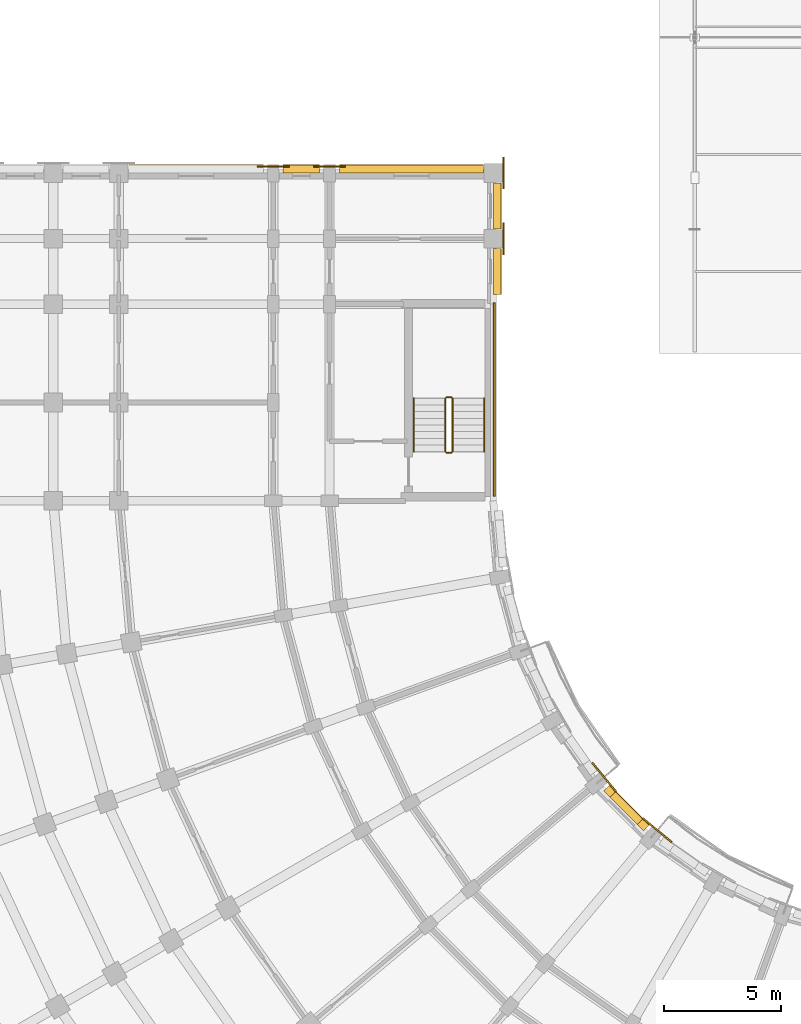
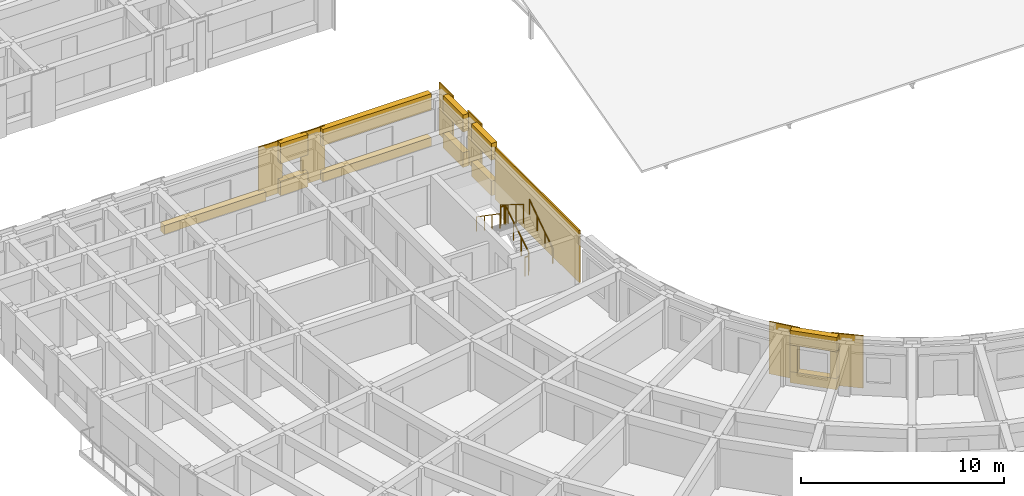
# One storey, part 63 of 76: 20 coverings, 6 railings.
"""IFC4 building model written with IfcOpenShell, lengths in metres."""

from ifc_helpers import new_model, si_unit, direction, frame, origin, origin_2d, place, context, subcontext, project, spatial, polyline, circle, outline, extrude, material, layer, layer_set, type_object, element, save


model = new_model("IFC4")

# Units and contexts
model_context = context("Model", 3, precision=1e-05, world=origin(), true_north=direction((0.0, 1.0)))
body_context = subcontext(model_context, "Body", "Model", "MODEL_VIEW")
ifc_project = project(units=[si_unit("LENGTHUNIT", "METRE"), si_unit("AREAUNIT", "SQUARE_METRE"), si_unit("VOLUMEUNIT", "CUBIC_METRE"), si_unit("PLANEANGLEUNIT", "RADIAN"), si_unit("MASSUNIT", "GRAM", prefix="KILO")], contexts=[model_context])

# Site, building, storey
site_placement = place(None, origin())
site = spatial("IfcSite", under=ifc_project, at=site_placement, CompositionType="ELEMENT")
building_placement = place(site_placement, origin())
building = spatial("IfcBuilding", under=site, at=building_placement, Name="Kiranvali Square Residences", CompositionType="ELEMENT")
storey_placement = place(building_placement, frame((0.0, 0.0, 8.699951171875)))
storey = spatial("IfcBuildingStorey", under=building, at=storey_placement, Name="L02", CompositionType="ELEMENT", Elevation=8.699951171875)

# Coverings
ifc_material_1 = material(Name="Honed Porbandar limestone ashlar facade cladding", Category="masonry")
ifc_layer_1 = layer(ifc_material_1, 0.3798828125)
ifc_layer_set_1 = layer_set([ifc_layer_1], Name="Honed Porbandar limestone ashlar facade cladding")
covering_type_1 = type_object("IfcCoveringType", Name="COV-CLAD-JAMB", PredefinedType="CLADDING", material=ifc_layer_set_1)
covering_1_placement = place(storey_placement, frame((0.0, 0.0, 0.672119140625)))
element("IfcCovering", 1, at=covering_1_placement, inside=storey, type_object=covering_type_1, Name="L02 deep limestone window jamb reveal C-L02-GDN-04.L", PredefinedType="CLADDING", context=body_context, shape_type="SweptSolid", body=[
    extrude(outline(polyline([(36.044921875, 34.349853515625), (35.78076171875, 34.614013671875), (35.540771484375, 34.3740234375), (35.804931640625, 34.10986328125), (36.044921875, 34.349853515625)])), origin(), (0.0, 0.0, 1.0), 1.599853515625),
])
covering_2_placement = place(storey_placement, frame((0.0, 0.0, 0.672119140625)))
element("IfcCovering", 2, at=covering_2_placement, inside=storey, type_object=covering_type_1, Name="L02 deep limestone window jamb reveal C-L02-GDN-04.R", PredefinedType="CLADDING", context=body_context, shape_type="SweptSolid", body=[
    extrude(outline(polyline([(34.614013671875, 35.78076171875), (34.349853515625, 36.044921875), (34.10986328125, 35.804931640625), (34.3740234375, 35.540771484375), (34.614013671875, 35.78076171875)])), origin(), (0.0, 0.0, 1.0), 1.599853515625),
])
ifc_layer_2 = layer(ifc_material_1, 0.06494140625)
ifc_layer_set_2 = layer_set([ifc_layer_2], Name="Honed Porbandar limestone ashlar facade cladding")
covering_type_2 = type_object("IfcCoveringType", Name="COV-CLAD-PIER", PredefinedType="CLADDING", material=ifc_layer_set_2)
covering_3_placement = place(storey_placement, frame((0.0, 0.0, 0.005126953125)))
element("IfcCovering", 3, at=covering_3_placement, inside=storey, type_object=covering_type_2, Name="Block C L02 Arm 2 stair limestone ashlar cladding", PredefinedType="CLADDING", context=body_context, shape_type="SweptSolid", body=[
    extrude(outline(polyline([(29.47998046875, 48.39990234375), (29.47998046875, 56.64990234375), (29.402099609375, 56.64990234375), (29.402099609375, 48.39990234375), (29.47998046875, 48.39990234375)])), origin(), (0.0, 0.0, 1.0), 3.139892578125),
])
ifc_layer_3 = layer(ifc_material_1, 0.050048828125)
ifc_layer_set_3 = layer_set([ifc_layer_3], Name="Honed Porbandar limestone ashlar facade cladding")
covering_type_3 = type_object("IfcCoveringType", Name="COV-CLAD-PIER-IN", PredefinedType="CLADDING", material=ifc_layer_set_3)
covering_4_placement = place(storey_placement, frame((0.0, 0.0, 0.005126953125)))
element("IfcCovering", 4, at=covering_4_placement, inside=storey, type_object=covering_type_3, Name="L02 Classical garden courtyard pilaster CLAD-PRIN-C-L02-A04", PredefinedType="CLADDING", context=body_context, shape_type="SweptSolid", body=[
    extrude(outline(polyline([(37.029296875, 33.642578125), (35.803466796875, 34.671142578125), (35.76025390625, 34.619384765625), (36.98583984375, 33.5908203125), (37.029296875, 33.642578125)])), origin(), (0.0, 0.0, 1.0), 3.139892578125),
])
covering_5_placement = place(storey_placement, frame((0.0, 0.0, 0.005126953125)))
element("IfcCovering", 5, at=covering_5_placement, inside=storey, type_object=covering_type_3, Name="L02 Classical garden courtyard pilaster CLAD-PRIN-C-L02-A05", PredefinedType="CLADDING", context=body_context, shape_type="SweptSolid", body=[
    extrude(outline(polyline([(34.671142578125, 35.803466796875), (33.642578125, 37.029296875), (33.5908203125, 36.98583984375), (34.619384765625, 35.76025390625), (34.671142578125, 35.803466796875)])), origin(), (0.0, 0.0, 1.0), 3.139892578125),
])
covering_6_placement = place(storey_placement, frame((0.0, 0.0, 0.005126953125)))
element("IfcCovering", 6, at=covering_6_placement, inside=storey, type_object=covering_type_3, Name="L02 Classical limestone pilaster casing CLAD-PRA2I-C-L02-V112", PredefinedType="CLADDING", context=body_context, shape_type="SweptSolid", body=[
    extrude(outline(polyline([(29.867919921875, 58.719970703125), (29.867919921875, 60.080078125), (29.800537109375, 60.080078125), (29.800537109375, 58.719970703125), (29.867919921875, 58.719970703125)])), origin(), (0.0, 0.0, 1.0), 3.139892578125),
])
covering_7_placement = place(storey_placement, frame((0.0, 0.0, 0.005126953125)))
element("IfcCovering", 7, at=covering_7_placement, inside=storey, type_object=covering_type_3, Name="L02 Classical limestone pilaster casing CLAD-PRA2I-C-L02-V140", PredefinedType="CLADDING", context=body_context, shape_type="SweptSolid", body=[
    extrude(outline(polyline([(29.867919921875, 61.52001953125), (29.867919921875, 62.8798828125), (29.800537109375, 62.8798828125), (29.800537109375, 61.52001953125), (29.867919921875, 61.52001953125)])), origin(), (0.0, 0.0, 1.0), 3.139892578125),
])
ifc_layer_4 = layer(ifc_material_1, 0.054931640625)
ifc_layer_set_4 = layer_set([ifc_layer_4], Name="Honed Porbandar limestone ashlar facade cladding")
covering_type_4 = type_object("IfcCoveringType", Name="COV-CLAD-PIER-UP", PredefinedType="CLADDING", material=ifc_layer_set_4)
covering_8_placement = place(storey_placement, frame((0.0, 0.0, 0.005126953125)))
element("IfcCovering", 8, at=covering_8_placement, inside=storey, type_object=covering_type_4, Name="L02 Classical limestone pilaster casing CLAD-PRA2E-C-L02-R258", PredefinedType="CLADDING", context=body_context, shape_type="SweptSolid", body=[
    extrude(outline(polyline([(23.080078125, 62.51806640625), (21.719970703125, 62.51806640625), (21.719970703125, 62.450439453125), (23.080078125, 62.450439453125), (23.080078125, 62.51806640625)])), origin(), (0.0, 0.0, 1.0), 3.139892578125),
])
covering_9_placement = place(storey_placement, frame((0.0, 0.0, 0.005126953125)))
element("IfcCovering", 9, at=covering_9_placement, inside=storey, type_object=covering_type_4, Name="L02 Classical limestone pilaster casing CLAD-PRA2E-C-L02-R282", PredefinedType="CLADDING", context=body_context, shape_type="SweptSolid", body=[
    extrude(outline(polyline([(20.679931640625, 62.51806640625), (19.320068359375, 62.51806640625), (19.320068359375, 62.450439453125), (20.679931640625, 62.450439453125), (20.679931640625, 62.51806640625)])), origin(), (0.0, 0.0, 1.0), 3.139892578125),
])
ifc_layer_5 = layer(ifc_material_1, 0.360107421875)
ifc_layer_set_5 = layer_set([ifc_layer_5], Name="Honed Porbandar limestone ashlar facade cladding")
covering_type_5 = type_object("IfcCoveringType", Name="COV-CLAD-WALL", PredefinedType="CLADDING", material=ifc_layer_set_5)
covering_10_placement = place(storey_placement, frame((0.0, 0.0, 2.27197265625)))
element("IfcCovering", 10, at=covering_10_placement, inside=storey, type_object=covering_type_5, Name="L02 light limestone spandrel lintel C-L02-GDN-04", PredefinedType="CLADDING", context=body_context, shape_type="SweptSolid", body=[
    extrude(outline(polyline([(36.044921875, 34.349853515625), (34.349853515625, 36.044921875), (34.10986328125, 35.804931640625), (35.804931640625, 34.10986328125), (36.044921875, 34.349853515625)])), origin(), (0.0, 0.0, 1.0), 0.873046875),
])
covering_11_placement = place(storey_placement, frame((0.0, 0.0, 2.130126953125)))
element("IfcCovering", 11, at=covering_11_placement, inside=storey, type_object=covering_type_5, Name="L02 light limestone spandrel lintel C-L02-A2I-0", PredefinedType="CLADDING", context=body_context, shape_type="SweptSolid", body=[
    extrude(outline(polyline([(29.719970703125, 57.02001953125), (29.719970703125, 58.97998046875), (29.400390625, 58.97998046875), (29.400390625, 57.02001953125), (29.719970703125, 57.02001953125)])), origin(), (0.0, 0.0, 1.0), 1.014892578125),
])
covering_12_placement = place(storey_placement, frame((0.0, 0.0, 0.005126953125)))
element("IfcCovering", 12, at=covering_12_placement, inside=storey, type_object=covering_type_5, Name="L02 limestone window sill apron C-L02-A2I-0", PredefinedType="CLADDING", context=body_context, shape_type="SweptSolid", body=[
    extrude(outline(polyline([(29.75, 57.02001953125), (29.75, 58.97998046875), (29.400390625, 58.97998046875), (29.400390625, 57.02001953125), (29.75, 57.02001953125)])), origin(), (0.0, 0.0, 1.0), 0.875),
])
covering_13_placement = place(storey_placement, frame((0.0, 0.0, 2.130126953125)))
element("IfcCovering", 13, at=covering_13_placement, inside=storey, type_object=covering_type_5, Name="L02 light limestone spandrel lintel C-L02-A2I-1", PredefinedType="CLADDING", context=body_context, shape_type="SweptSolid", body=[
    extrude(outline(polyline([(29.719970703125, 59.820068359375), (29.719970703125, 61.780029296875), (29.400390625, 61.780029296875), (29.400390625, 59.820068359375), (29.719970703125, 59.820068359375)])), origin(), (0.0, 0.0, 1.0), 1.014892578125),
])
covering_14_placement = place(storey_placement, frame((0.0, 0.0, 0.005126953125)))
element("IfcCovering", 14, at=covering_14_placement, inside=storey, type_object=covering_type_5, Name="L02 limestone window sill apron C-L02-A2I-1", PredefinedType="CLADDING", context=body_context, shape_type="SweptSolid", body=[
    extrude(outline(polyline([(29.75, 59.820068359375), (29.75, 61.780029296875), (29.400390625, 61.780029296875), (29.400390625, 59.820068359375), (29.75, 59.820068359375)])), origin(), (0.0, 0.0, 1.0), 0.875),
])
covering_15_placement = place(storey_placement, frame((0.0, 0.0, 2.172119140625)))
element("IfcCovering", 15, at=covering_15_placement, inside=storey, type_object=covering_type_5, Name="L02 light limestone spandrel lintel C-L02-A2END-0", PredefinedType="CLADDING", context=body_context, shape_type="SweptSolid", body=[
    extrude(outline(polyline([(28.97998046875, 62.5400390625), (22.820068359375, 62.5400390625), (22.820068359375, 62.200439453125), (28.97998046875, 62.200439453125), (28.97998046875, 62.5400390625)])), origin(), (0.0, 0.0, 1.0), 0.972900390625),
])
covering_16_placement = place(storey_placement, frame((0.0, 0.0, 0.005126953125)))
element("IfcCovering", 16, at=covering_16_placement, inside=storey, type_object=covering_type_5, Name="L02 limestone window sill apron C-L02-A2END-0", PredefinedType="CLADDING", context=body_context, shape_type="SweptSolid", body=[
    extrude(outline(polyline([(28.97998046875, 62.570068359375), (22.820068359375, 62.570068359375), (22.820068359375, 62.200439453125), (28.97998046875, 62.200439453125), (28.97998046875, 62.570068359375)])), origin(), (0.0, 0.0, 1.0), 0.516845703125),
])
covering_17_placement = place(storey_placement, frame((0.0, 0.0, 1.929931640625)))
element("IfcCovering", 17, at=covering_17_placement, inside=storey, type_object=covering_type_5, Name="L02 light limestone spandrel lintel C-L02-A2END-1", PredefinedType="CLADDING", context=body_context, shape_type="SweptSolid", body=[
    extrude(outline(polyline([(21.97998046875, 62.5400390625), (20.419921875, 62.5400390625), (20.419921875, 62.200439453125), (21.97998046875, 62.200439453125), (21.97998046875, 62.5400390625)])), origin(), (0.0, 0.0, 1.0), 1.215087890625),
])
covering_18_placement = place(storey_placement, frame((0.0, 0.0, 0.005126953125)))
element("IfcCovering", 18, at=covering_18_placement, inside=storey, type_object=covering_type_5, Name="L02 limestone window sill apron C-L02-A2END-1", PredefinedType="CLADDING", context=body_context, shape_type="SweptSolid", body=[
    extrude(outline(polyline([(21.97998046875, 62.570068359375), (20.419921875, 62.570068359375), (20.419921875, 62.200439453125), (21.97998046875, 62.200439453125), (21.97998046875, 62.570068359375)])), origin(), (0.0, 0.0, 1.0), 0.875),
])
covering_19_placement = place(storey_placement, frame((0.0, 0.0, 0.005126953125)))
element("IfcCovering", 19, at=covering_19_placement, inside=storey, type_object=covering_type_5, Name="L02 limestone window sill apron C-L02-A2END-2", PredefinedType="CLADDING", context=body_context, shape_type="SweptSolid", body=[
    extrude(outline(polyline([(19.580078125, 62.570068359375), (13.820068359375, 62.570068359375), (13.820068359375, 62.200439453125), (19.580078125, 62.200439453125), (19.580078125, 62.570068359375)])), origin(), (0.0, 0.0, 1.0), 0.516845703125),
])
ifc_layer_6 = layer(ifc_material_1, 0.2900390625)
ifc_layer_set_6 = layer_set([ifc_layer_6], Name="Honed Porbandar limestone ashlar facade cladding")
covering_type_6 = type_object("IfcCoveringType", Name="COV-CLAD-WALL-IN", PredefinedType="CLADDING", material=ifc_layer_set_6)
covering_20_placement = place(storey_placement, frame((0.0, 0.0, 0.005126953125)))
element("IfcCovering", 20, at=covering_20_placement, inside=storey, type_object=covering_type_6, Name="L02 limestone window sill apron C-L02-GDN-04", PredefinedType="CLADDING", context=body_context, shape_type="SweptSolid", body=[
    extrude(outline(polyline([(36.066162109375, 34.37109375), (34.37109375, 36.066162109375), (34.10986328125, 35.804931640625), (35.804931640625, 34.10986328125), (36.066162109375, 34.37109375)])), origin(), (0.0, 0.0, 1.0), 0.6669921875),
])

# Railings
ifc_material_2 = material(Name="Brushed stainless steel tubular handrail", Category="steel")
railing_type_1 = type_object("IfcRailingType", Name="RL-HANDRAIL-900", PredefinedType="HANDRAIL", material=ifc_material_2)
railing_1_placement = place(storey_placement, frame((29.0, 50.300048828125, 0.175048828125)))
element("IfcRailing", 21, at=railing_1_placement, inside=storey, type_object=railing_type_1, Name="L02 ST-C3 stair handrail 1", PredefinedType="HANDRAIL", context=body_context, shape_type="SweptSolid", body=[
    extrude(circle(Radius=0.02392578125, at=origin_2d()), frame((0.0, 0.0, 0.8759765625), z_axis=(0.0, 0.82278801735, 0.568348377763), x_axis=(-1.0, 0.0, 0.0)), (0.0, 0.0, 1.0), 2.77099609375),
    extrude(circle(Radius=0.02099609375, at=origin_2d()), origin(), (0.0, 0.0, 1.0), 0.851806640625),
    extrude(circle(Radius=0.02099609375, at=origin_2d()), frame((0.0, 0.760009765625, 0.52490234375)), (0.0, 0.0, 1.0), 0.851806640625),
    extrude(circle(Radius=0.02099609375, at=origin_2d()), frame((0.0, 1.52001953125, 1.050048828125)), (0.0, 0.0, 1.0), 0.851806640625),
    extrude(circle(Radius=0.02099609375, at=origin_2d()), frame((0.0, 2.280029296875, 1.574951171875)), (0.0, 0.0, 1.0), 0.851806640625),
])
railing_2_placement = place(storey_placement, frame((26.0, 52.580078125, 1.75)))
element("IfcRailing", 22, at=railing_2_placement, inside=storey, type_object=railing_type_1, Name="L02 ST-C3 stair handrail 2", PredefinedType="HANDRAIL", context=body_context, shape_type="SweptSolid", body=[
    extrude(circle(Radius=0.02392578125, at=origin_2d()), frame((0.0, 0.0, 0.8759765625), z_axis=(0.0, -0.82278801735, 0.568348377763), x_axis=(1.0, 0.0, 0.0)), (0.0, 0.0, 1.0), 2.77099609375),
    extrude(circle(Radius=0.02099609375, at=origin_2d()), origin(), (0.0, 0.0, 1.0), 0.851806640625),
    extrude(circle(Radius=0.02099609375, at=origin_2d()), frame((0.0, -0.760009765625, 0.52490234375)), (0.0, 0.0, 1.0), 0.851806640625),
    extrude(circle(Radius=0.02099609375, at=origin_2d()), frame((0.0, -1.52001953125, 1.050048828125)), (0.0, 0.0, 1.0), 0.851806640625),
    extrude(circle(Radius=0.02099609375, at=origin_2d()), frame((0.0, -2.280029296875, 1.574951171875)), (0.0, 0.0, 1.0), 0.851806640625),
])
ifc_material_3 = material(Name="Powder-coated architectural bronze balustrade", Category="steel")
railing_type_2 = type_object("IfcRailingType", Name="RL-ST-GUARD-1200", PredefinedType="GUARDRAIL", material=ifc_material_3)
railing_3_placement = place(storey_placement, frame((27.64990234375, 50.300048828125, 0.175048828125)))
element("IfcRailing", 23, at=railing_3_placement, inside=storey, type_object=railing_type_2, Name="L02 ST-C3 stair guard 1", PredefinedType="GUARDRAIL", context=body_context, shape_type="SweptSolid", body=[
    extrude(circle(Radius=0.02392578125, at=origin_2d()), frame((0.0, 0.0, 1.1259765625), z_axis=(0.0, 0.852190499154, 0.523231643875), x_axis=(-1.0, 0.0, 0.0)), (0.0, 0.0, 1.0), 2.675537109375),
    extrude(circle(Radius=0.02099609375, at=origin_2d()), origin(), (0.0, 0.0, 1.0), 1.101806640625),
    extrude(circle(Radius=0.02099609375, at=origin_2d()), frame((0.0, 0.760009765625, 0.466552734375)), (0.0, 0.0, 1.0), 1.101806640625),
    extrude(circle(Radius=0.02099609375, at=origin_2d()), frame((0.0, 1.52001953125, 0.933349609375)), (0.0, 0.0, 1.0), 1.101806640625),
    extrude(circle(Radius=0.02099609375, at=origin_2d()), frame((0.0, 2.280029296875, 1.39990234375)), (0.0, 0.0, 1.0), 1.101806640625),
])
railing_4_placement = place(storey_placement, frame((27.60009765625, 52.6298828125, 1.574951171875)))
element("IfcRailing", 24, at=railing_4_placement, inside=storey, type_object=railing_type_2, Name="L02 ST-C3 stair guard 2", PredefinedType="GUARDRAIL", context=body_context, shape_type="SweptSolid", body=[
    extrude(circle(Radius=0.02392578125, at=origin_2d()), frame((0.0, 0.0, 1.1259765625), z_axis=(-1.0, 0.0, 0.0), x_axis=(0.0, -1.0, 0.0)), (0.0, 0.0, 1.0), 0.2001953125),
    extrude(circle(Radius=0.02099609375, at=origin_2d()), origin(), (0.0, 0.0, 1.0), 1.101806640625),
    extrude(circle(Radius=0.02099609375, at=origin_2d()), frame((-0.2001953125, 0.0, 0.0)), (0.0, 0.0, 1.0), 1.101806640625),
])
railing_5_placement = place(storey_placement, frame((27.35009765625, 52.580078125, 1.75)))
element("IfcRailing", 25, at=railing_5_placement, inside=storey, type_object=railing_type_2, Name="L02 ST-C3 stair guard 3", PredefinedType="GUARDRAIL", context=body_context, shape_type="SweptSolid", body=[
    extrude(circle(Radius=0.02392578125, at=origin_2d()), frame((0.0, 0.0, 1.1259765625), z_axis=(0.0, -0.852149810458, 0.523297908018), x_axis=(1.0, 0.0, 0.0)), (0.0, 0.0, 1.0), 2.675537109375),
    extrude(circle(Radius=0.02099609375, at=origin_2d()), origin(), (0.0, 0.0, 1.0), 1.101806640625),
    extrude(circle(Radius=0.02099609375, at=origin_2d()), frame((0.0, -0.760009765625, 0.466796875)), (0.0, 0.0, 1.0), 1.101806640625),
    extrude(circle(Radius=0.02099609375, at=origin_2d()), frame((0.0, -1.52001953125, 0.933349609375)), (0.0, 0.0, 1.0), 1.101806640625),
    extrude(circle(Radius=0.02099609375, at=origin_2d()), frame((0.0, -2.280029296875, 1.400146484375)), (0.0, 0.0, 1.0), 1.101806640625),
])
railing_6_placement = place(storey_placement, frame((27.60009765625, 50.25, 0.0)))
element("IfcRailing", 26, at=railing_6_placement, inside=storey, type_object=railing_type_2, Name="L02 ST-C3 stair guard 4", PredefinedType="GUARDRAIL", context=body_context, shape_type="SweptSolid", body=[
    extrude(circle(Radius=0.02392578125, at=origin_2d()), frame((0.0, 0.0, 1.1259765625), z_axis=(-1.0, 0.0, 0.0), x_axis=(0.0, -1.0, 0.0)), (0.0, 0.0, 1.0), 0.2001953125),
    extrude(circle(Radius=0.02099609375, at=origin_2d()), origin(), (0.0, 0.0, 1.0), 1.101806640625),
    extrude(circle(Radius=0.02099609375, at=origin_2d()), frame((-0.2001953125, 0.0, 0.0)), (0.0, 0.0, 1.0), 1.101806640625),
])

save(model, "model.ifc")
